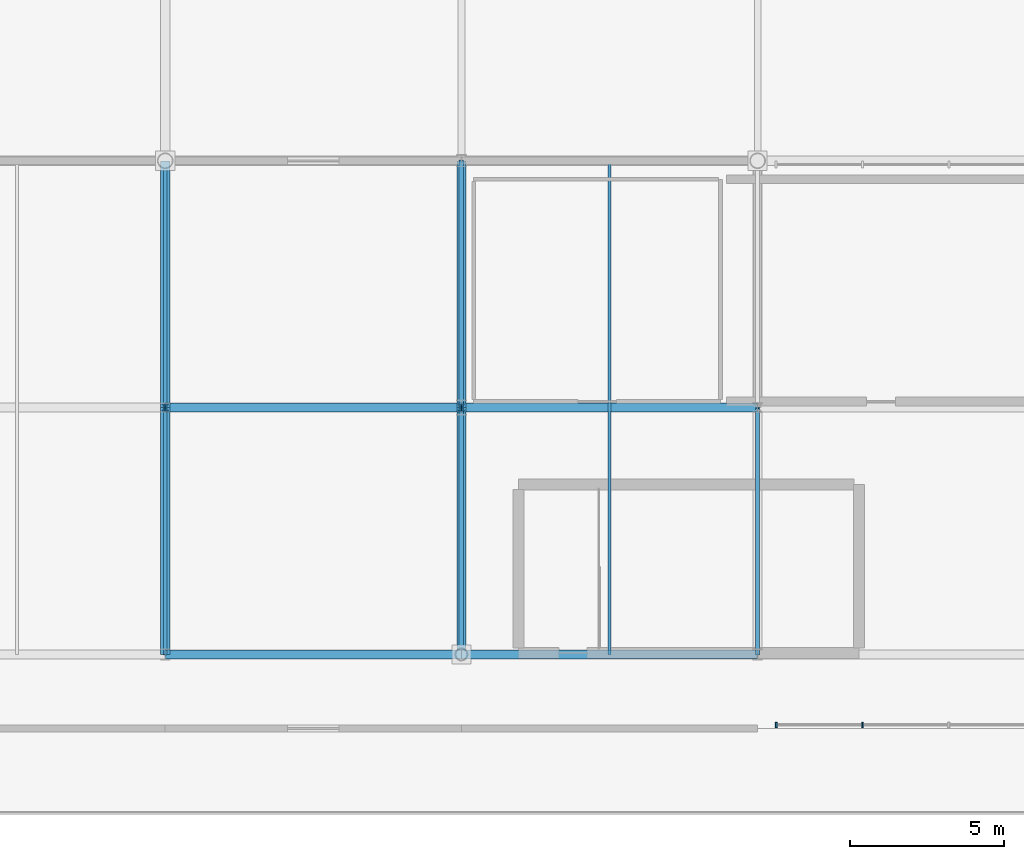
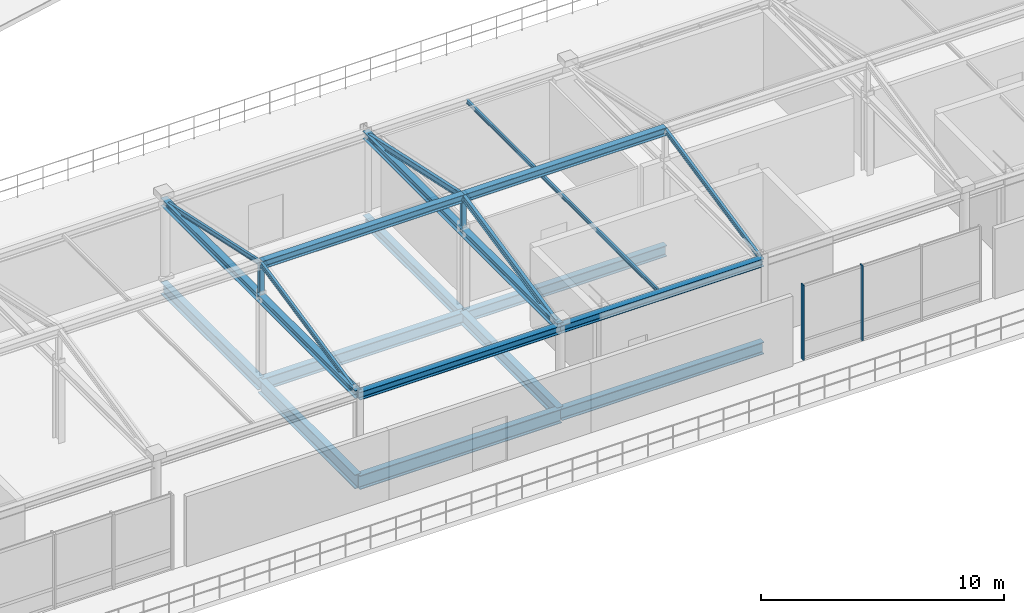
# One storey, part 7 of 26: 14 beams, 10 members, 1 element without a shape of its own.
"""IFC4 building model written with IfcOpenShell, lengths in metres."""

from ifc_helpers import new_model, si_unit, direction, frame, origin, origin_2d, place, context, subcontext, project, spatial, rectangle, i_section, extrude, material, material_profile, profile_set, type_object, element, aggregate, save


model = new_model("IFC4")

# Units and contexts
model_context = context("Model", 3, precision=1e-05, world=origin(), true_north=direction((0.0, 1.0)))
body_context = subcontext(model_context, "Body", "Model", "MODEL_VIEW")
ifc_project = project(units=[si_unit("LENGTHUNIT", "METRE"), si_unit("AREAUNIT", "SQUARE_METRE"), si_unit("VOLUMEUNIT", "CUBIC_METRE"), si_unit("PLANEANGLEUNIT", "RADIAN"), si_unit("MASSUNIT", "GRAM", prefix="KILO")], contexts=[model_context])

# Site, building, storey
site_placement = place(None, origin())
site = spatial("IfcSite", under=ifc_project, at=site_placement, CompositionType="ELEMENT")
building_placement = place(site_placement, origin())
building = spatial("IfcBuilding", under=site, at=building_placement, Name="Danafjord Basin Convention Centre", CompositionType="ELEMENT")
storey_placement = place(building_placement, frame((0.0, 0.0, 29.39990234375)))
storey = spatial("IfcBuildingStorey", under=building, at=storey_placement, Name="RF", CompositionType="ELEMENT", Elevation=29.39990234375)

# Beams
ifc_material_1 = material(Name="Steel S355", Category="steel")
ifc_material_profile_1 = material_profile(ifc_material_1, i_section(OverallWidth=0.300048828125, OverallDepth=0.389892578125, WebThickness=0.010986328125, FlangeThickness=0.01904296875, FilletRadius=0.027099609375, at=origin_2d()), Name="HEA 400")
ifc_profile_set_1 = profile_set([ifc_material_profile_1], Name="Steel S355")
beam_type_1 = type_object("IfcBeamType", Name="BEAM-BM-HEA400", PredefinedType="BEAM", material=ifc_profile_set_1)
for number, where, z_axis, x_axis, name in (
    (1, (38.39990234375, 16.0, 3.800048828125), (0.0, 1.0, 0.0), (-1.0, 0.0, 0.0), "Observatory transverse tie beam"),
    (2, (48.0, 16.0, 3.800048828125), (0.0, 1.0, 0.0), (-1.0, 0.0, 0.0), "Observatory transverse tie beam"),
):
    element("IfcBeam", number, at=place(storey_placement, frame(where, z_axis=z_axis, x_axis=x_axis)), inside=storey, type_object=beam_type_1, Name=name, PredefinedType="BEAM", context=body_context, shape_type="SweptSolid", body=[
        extrude(i_section(OverallWidth=0.300048828125, OverallDepth=0.389892578125, WebThickness=0.010986328125, FlangeThickness=0.01904296875, FilletRadius=0.027099609375, at=origin_2d()), origin(), (0.0, 0.0, 1.0), 16.0),
    ])
for number, where, z_axis, x_axis, name in (
    (3, (38.39990234375, 16.0, 3.760009765625), (1.0, 0.0, 0.0), (0.0, 1.0, 0.0), "Observatory south eave girder"),
    (4, (38.39990234375, 24.0, 5.48974609375), (1.0, 0.0, 0.0), (0.0, 1.0, 0.0), "Observatory ridge beam"),
    (5, (48.0, 16.0, 3.760009765625), (1.0, 0.0, 0.0), (0.0, 1.0, 0.0), "Observatory south eave girder"),
    (6, (48.0, 24.0, 5.48974609375), (1.0, 0.0, 0.0), (0.0, 1.0, 0.0), "Observatory ridge beam"),
):
    element("IfcBeam", number, at=place(storey_placement, frame(where, z_axis=z_axis, x_axis=x_axis)), inside=storey, type_object=beam_type_1, Name=name, PredefinedType="BEAM", context=body_context, shape_type="SweptSolid", body=[
        extrude(i_section(OverallWidth=0.300048828125, OverallDepth=0.389892578125, WebThickness=0.010986328125, FlangeThickness=0.01904296875, FilletRadius=0.027099609375, at=origin_2d()), origin(), (0.0, 0.0, 1.0), 9.60009765625),
    ])
ifc_material_profile_2 = material_profile(ifc_material_1, i_section(OverallWidth=0.300048828125, OverallDepth=0.5, WebThickness=0.014404296875, FlangeThickness=0.028076171875, FilletRadius=0.027099609375, at=origin_2d()), Name="HEB 500")
ifc_profile_set_2 = profile_set([ifc_material_profile_2], Name="Steel S355")
beam_type_2 = type_object("IfcBeamType", Name="BEAM-BM-HEB500", PredefinedType="BEAM", material=ifc_profile_set_2)
beam_1_placement = place(storey_placement, frame((48.0, 24.0, -0.47998046875), z_axis=(0.0, 1.0, 0.0), x_axis=(-1.0, 0.0, 0.0)))
element("IfcBeam", 7, at=beam_1_placement, inside=storey, type_object=beam_type_2, Name="RF transverse girder BM-HEB500", PredefinedType="BEAM", context=body_context, shape_type="SweptSolid", body=[
    extrude(i_section(OverallWidth=0.300048828125, OverallDepth=0.5, WebThickness=0.014404296875, FlangeThickness=0.028076171875, FilletRadius=0.027099609375, at=origin_2d()), origin(), (0.0, 0.0, 1.0), 8.0),
])
ifc_material_profile_3 = material_profile(ifc_material_1, i_section(OverallWidth=0.300048828125, OverallDepth=0.550048828125, WebThickness=0.014892578125, FlangeThickness=0.029052734375, FilletRadius=0.027099609375, at=origin_2d()), Name="HEB 550")
ifc_profile_set_3 = profile_set([ifc_material_profile_3], Name="Steel S355")
beam_type_3 = type_object("IfcBeamType", Name="BEAM-BM-HEB550", PredefinedType="BEAM", material=ifc_profile_set_3)
beam_2_placement = place(storey_placement, frame((48.0, 24.0, -0.5048828125), z_axis=(1.0, 0.0, 0.0), x_axis=(0.0, 1.0, 0.0)))
element("IfcBeam", 8, at=beam_2_placement, inside=storey, type_object=beam_type_3, Name="RF girder BM-HEB550", PredefinedType="BEAM", context=body_context, shape_type="SweptSolid", body=[
    extrude(i_section(OverallWidth=0.300048828125, OverallDepth=0.550048828125, WebThickness=0.014892578125, FlangeThickness=0.029052734375, FilletRadius=0.027099609375, at=origin_2d()), origin(), (0.0, 0.0, 1.0), 9.60009765625),
])
ifc_material_profile_4 = material_profile(ifc_material_1, i_section(OverallWidth=0.300048828125, OverallDepth=0.60009765625, WebThickness=0.015380859375, FlangeThickness=0.030029296875, FilletRadius=0.027099609375, at=origin_2d()), Name="HEB 600")
ifc_profile_set_4 = profile_set([ifc_material_profile_4], Name="Steel S355")
beam_type_4 = type_object("IfcBeamType", Name="BEAM-BM-HEB600", PredefinedType="BEAM", material=ifc_profile_set_4)
for number, where, z_axis, x_axis, name in (
    (9, (38.39990234375, 24.0, -0.52978515625), (1.0, 0.0, 0.0), (0.0, 1.0, 0.0), "RF girder BM-HEB600"),
    (10, (48.0, 16.0, -0.52978515625), (1.0, 0.0, 0.0), (0.0, 1.0, 0.0), "RF girder BM-HEB600"),
):
    element("IfcBeam", number, at=place(storey_placement, frame(where, z_axis=z_axis, x_axis=x_axis)), inside=storey, type_object=beam_type_4, Name=name, PredefinedType="BEAM", context=body_context, shape_type="SweptSolid", body=[
        extrude(i_section(OverallWidth=0.300048828125, OverallDepth=0.60009765625, WebThickness=0.015380859375, FlangeThickness=0.030029296875, FilletRadius=0.027099609375, at=origin_2d()), origin(), (0.0, 0.0, 1.0), 9.60009765625),
    ])
for number, where, z_axis, x_axis, name in (
    (11, (38.39990234375, 24.0, -0.52978515625), (0.0, 1.0, 0.0), (-1.0, 0.0, 0.0), "RF transverse girder BM-HEB600"),
    (12, (48.0, 16.0, -0.52978515625), (0.0, 1.0, 0.0), (-1.0, 0.0, 0.0), "RF transverse girder BM-HEB600"),
):
    element("IfcBeam", number, at=place(storey_placement, frame(where, z_axis=z_axis, x_axis=x_axis)), inside=storey, type_object=beam_type_4, Name=name, PredefinedType="BEAM", context=body_context, shape_type="SweptSolid", body=[
        extrude(i_section(OverallWidth=0.300048828125, OverallDepth=0.60009765625, WebThickness=0.015380859375, FlangeThickness=0.030029296875, FilletRadius=0.027099609375, at=origin_2d()), origin(), (0.0, 0.0, 1.0), 8.0),
    ])
ifc_material_profile_5 = material_profile(ifc_material_1, i_section(OverallWidth=0.300048828125, OverallDepth=0.699951171875, WebThickness=0.01708984375, FlangeThickness=0.031982421875, FilletRadius=0.027099609375, at=origin_2d()), Name="HEB 700")
ifc_profile_set_5 = profile_set([ifc_material_profile_5], Name="Steel S355")
beam_type_5 = type_object("IfcBeamType", Name="BEAM-BM-HEB700", PredefinedType="BEAM", material=ifc_profile_set_5)
beam_3_placement = place(storey_placement, frame((38.39990234375, 16.0, -0.579833984375), z_axis=(1.0, 0.0, 0.0), x_axis=(0.0, 1.0, 0.0)))
element("IfcBeam", 13, at=beam_3_placement, inside=storey, type_object=beam_type_5, Name="RF girder BM-HEB700", PredefinedType="BEAM", context=body_context, shape_type="SweptSolid", body=[
    extrude(i_section(OverallWidth=0.300048828125, OverallDepth=0.699951171875, WebThickness=0.01708984375, FlangeThickness=0.031982421875, FilletRadius=0.027099609375, at=origin_2d()), origin(), (0.0, 0.0, 1.0), 9.60009765625),
])
beam_4_placement = place(storey_placement, frame((38.39990234375, 16.0, -0.579833984375), z_axis=(0.0, 1.0, 0.0), x_axis=(-1.0, 0.0, 0.0)))
element("IfcBeam", 14, at=beam_4_placement, inside=storey, type_object=beam_type_5, Name="RF transverse girder BM-HEB700", PredefinedType="BEAM", context=body_context, shape_type="SweptSolid", body=[
    extrude(i_section(OverallWidth=0.300048828125, OverallDepth=0.699951171875, WebThickness=0.01708984375, FlangeThickness=0.031982421875, FilletRadius=0.027099609375, at=origin_2d()), origin(), (0.0, 0.0, 1.0), 8.0),
])

# Member
ifc_material_profile_6 = material_profile(ifc_material_1, i_section(OverallWidth=0.10009765625, OverallDepth=0.199951171875, WebThickness=0.005615234375, FlangeThickness=0.008544921875, FilletRadius=0.011962890625, at=origin_2d()), Name="IPE 200")
ifc_profile_set_6 = profile_set([ifc_material_profile_6], Name="Steel S355")
member_type_1 = type_object("IfcMemberType", Name="MEM-CL-IPE200", PredefinedType="COLLAR", material=ifc_profile_set_6)
member_1_placement = place(storey_placement, frame((52.800048828125, 16.0, 3.780029296875), z_axis=(0.0, 1.0, 0.0), x_axis=(-1.0, 0.0, 0.0)))
element("IfcMember", 15, at=member_1_placement, inside=storey, type_object=member_type_1, Name="Observatory roof collar tie", PredefinedType="COLLAR", context=body_context, shape_type="SweptSolid", body=[
    extrude(i_section(OverallWidth=0.10009765625, OverallDepth=0.199951171875, WebThickness=0.005615234375, FlangeThickness=0.008544921875, FilletRadius=0.011962890625, at=origin_2d()), origin(), (0.0, 0.0, 1.0), 16.0),
])

# Curtain wall, members
ifc_material_2 = material(Name="Anodised aluminium and triple glazing", Category="aluminium")
curtain_wall_type = type_object("IfcCurtainWallType", Name="CW-CW-TERR", PredefinedType="NOTDEFINED", material=ifc_material_2)
curtain_wall_placement = place(storey_placement, origin())
curtain_wall = element("IfcCurtainWall", 16, at=curtain_wall_placement, inside=storey, type_object=curtain_wall_type, Name="RF CW-TERR unitised curtain wall bay 111", PredefinedType="NOTDEFINED")
ifc_material_3 = material(Name="Anodised aluminium EN AW-6060", Category="aluminium")
ifc_material_profile_7 = material_profile(ifc_material_3, rectangle(XDim=0.06005859375, YDim=0.179931640625, at=origin_2d()), Name="MULL 60x180")
ifc_profile_set_7 = profile_set([ifc_material_profile_7], Name="Anodised aluminium EN AW-6060")
member_type_2 = type_object("IfcMemberType", Name="MEM-ML-180", PredefinedType="MULLION", material=ifc_profile_set_7)
member_2_placement = place(storey_placement, frame((58.199951171875, 13.719970703125, -0.02490234375), z_axis=(0.0, 0.0, 1.0), x_axis=(1.0, 0.0, 0.0)))
member_2 = element("IfcMember", 17, at=member_2_placement, type_object=member_type_2, Name="CW-RF-111 mullion 1", PredefinedType="MULLION", context=body_context, shape_type="SweptSolid", body=[
    extrude(rectangle(XDim=0.06005859375, YDim=0.179931640625, at=origin_2d()), origin(), (0.0, 0.0, 1.0), 3.784912109375),
])
member_3_placement = place(storey_placement, frame((61.0, 13.719970703125, -0.02490234375), z_axis=(0.0, 0.0, 1.0), x_axis=(1.0, 0.0, 0.0)))
member_3 = element("IfcMember", 18, at=member_3_placement, type_object=member_type_2, Name="CW-RF-111 mullion 2", PredefinedType="MULLION", context=body_context, shape_type="SweptSolid", body=[
    extrude(rectangle(XDim=0.06005859375, YDim=0.179931640625, at=origin_2d()), origin(), (0.0, 0.0, 1.0), 3.784912109375),
])
aggregate(curtain_wall, [member_2, member_3])

# Members
ifc_material_profile_8 = material_profile(ifc_material_1, i_section(OverallWidth=0.1201171875, OverallDepth=0.239990234375, WebThickness=0.006103515625, FlangeThickness=0.009765625, FilletRadius=0.014892578125, at=origin_2d()), Name="IPE 240")
ifc_profile_set_8 = profile_set([ifc_material_profile_8], Name="Steel S355")
member_type_3 = type_object("IfcMemberType", Name="MEM-RF-IPE240", PredefinedType="RAFTER", material=ifc_profile_set_8)
for number, where, z_axis, x_axis, name in (
    (19, (38.39990234375, 16.0, 3.780029296875), (0.0, 0.977413998917, 0.211333562693), (-1.0, 0.0, 0.0), "Observatory pitched roof rafter"),
    (20, (38.39990234375, 32.0, 3.780029296875), (0.0, -0.977413998917, 0.211333562693), (1.0, 0.0, 0.0), "Observatory pitched roof rafter"),
    (21, (57.60009765625, 16.0, 3.780029296875), (0.0, 0.977413998917, 0.211333562693), (-1.0, 0.0, 0.0), "Observatory pitched roof rafter"),
):
    element("IfcMember", number, at=place(storey_placement, frame(where, z_axis=z_axis, x_axis=x_axis)), inside=storey, type_object=member_type_3, Name=name, PredefinedType="RAFTER", context=body_context, shape_type="SweptSolid", body=[
        extrude(i_section(OverallWidth=0.1201171875, OverallDepth=0.239990234375, WebThickness=0.006103515625, FlangeThickness=0.009765625, FilletRadius=0.014892578125, at=origin_2d()), origin(), (0.0, 0.0, 1.0), 8.184814453125),
    ])
ifc_material_profile_9 = material_profile(ifc_material_1, i_section(OverallWidth=0.14990234375, OverallDepth=0.300048828125, WebThickness=0.007080078125, FlangeThickness=0.0107421875, FilletRadius=0.014892578125, at=origin_2d()), Name="IPE 300")
ifc_profile_set_9 = profile_set([ifc_material_profile_9], Name="Steel S355")
member_type_4 = type_object("IfcMemberType", Name="MEM-RF-IPE300", PredefinedType="RAFTER", material=ifc_profile_set_9)
for number, where, z_axis, x_axis, name in (
    (22, (48.0, 16.0, 3.780029296875), (0.0, 0.977413998917, 0.211333562693), (-1.0, 0.0, 0.0), "Observatory pitched roof rafter"),
    (23, (48.0, 32.0, 3.780029296875), (0.0, -0.977413998917, 0.211333562693), (1.0, 0.0, 0.0), "Observatory pitched roof rafter"),
):
    element("IfcMember", number, at=place(storey_placement, frame(where, z_axis=z_axis, x_axis=x_axis)), inside=storey, type_object=member_type_4, Name=name, PredefinedType="RAFTER", context=body_context, shape_type="SweptSolid", body=[
        extrude(i_section(OverallWidth=0.14990234375, OverallDepth=0.300048828125, WebThickness=0.007080078125, FlangeThickness=0.0107421875, FilletRadius=0.014892578125, at=origin_2d()), origin(), (0.0, 0.0, 1.0), 8.184814453125),
    ])
ifc_material_profile_10 = material_profile(ifc_material_1, i_section(OverallWidth=0.199951171875, OverallDepth=0.199951171875, WebThickness=0.009033203125, FlangeThickness=0.014892578125, FilletRadius=0.01806640625, at=origin_2d()), Name="HEB 200")
ifc_profile_set_10 = profile_set([ifc_material_profile_10], Name="Steel S355")
member_type_5 = type_object("IfcMemberType", Name="MEM-ST-HEB200", PredefinedType="STRUT", material=ifc_profile_set_10)
for number, where, z_axis, x_axis, name in (
    (24, (38.39990234375, 24.0, 3.800048828125), (0.0, 0.0, 1.0), (1.0, 0.0, 0.0), "Observatory ridge king-post"),
    (25, (48.0, 24.0, 3.800048828125), (0.0, 0.0, 1.0), (1.0, 0.0, 0.0), "Observatory ridge king-post"),
):
    element("IfcMember", number, at=place(storey_placement, frame(where, z_axis=z_axis, x_axis=x_axis)), inside=storey, type_object=member_type_5, Name=name, PredefinedType="STRUT", context=body_context, shape_type="SweptSolid", body=[
        extrude(i_section(OverallWidth=0.199951171875, OverallDepth=0.199951171875, WebThickness=0.009033203125, FlangeThickness=0.014892578125, FilletRadius=0.01806640625, at=origin_2d()), origin(), (0.0, 0.0, 1.0), 1.709716796875),
    ])

save(model, "model.ifc")
